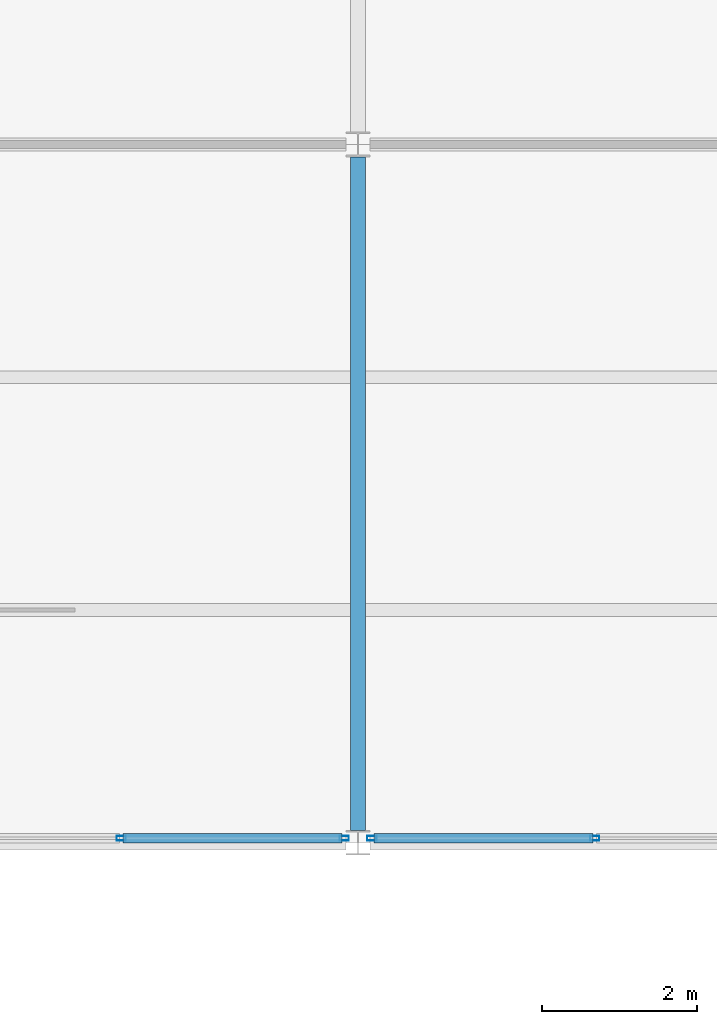
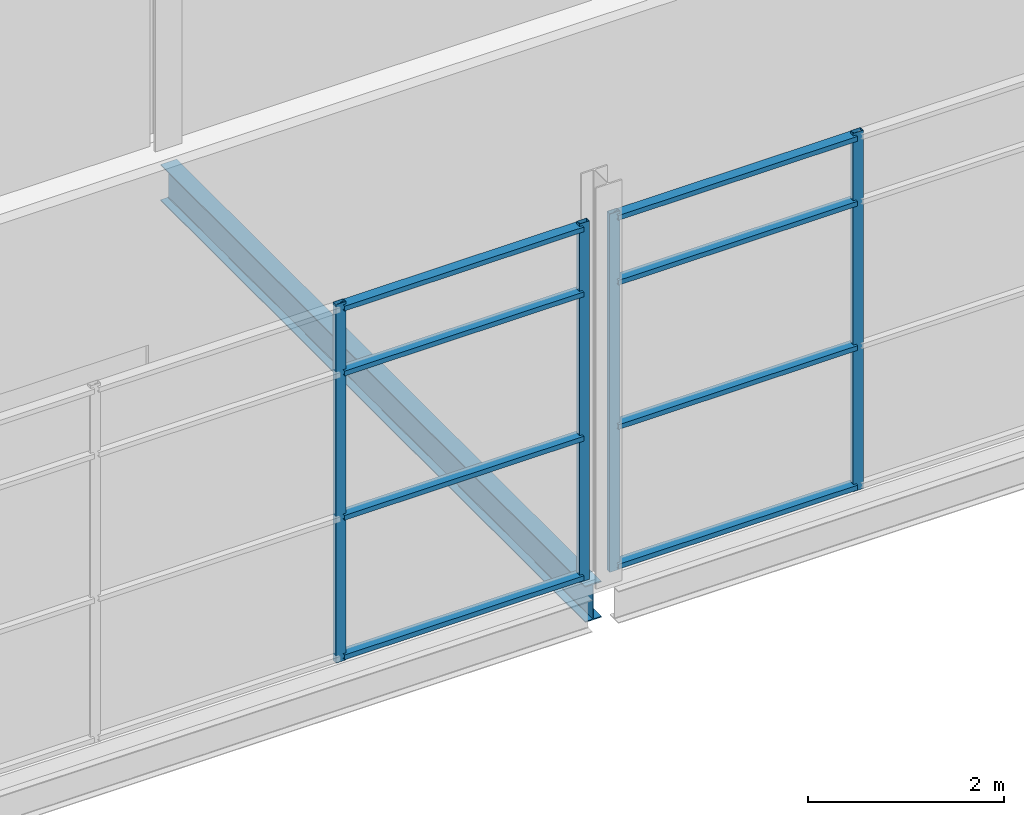
# One storey, part 38 of 61: 12 members, 1 beam, 2 elements without a shape of their own.
"""IFC4 building model written with IfcOpenShell, lengths in metres."""

from ifc_helpers import new_model, si_unit, direction, frame, origin, origin_2d, place, context, subcontext, project, spatial, hollow_rectangle, i_section, extrude, material, layer, layer_set, material_profile, profile_set, type_object, element, aggregate, save


model = new_model("IFC4")

# Units and contexts
model_context = context("Model", 3, precision=1e-05, world=origin(), true_north=direction((0.0, 1.0)))
body_context = subcontext(model_context, "Body", "Model", "MODEL_VIEW")
ifc_project = project(units=[si_unit("LENGTHUNIT", "METRE"), si_unit("AREAUNIT", "SQUARE_METRE"), si_unit("VOLUMEUNIT", "CUBIC_METRE"), si_unit("PLANEANGLEUNIT", "RADIAN"), si_unit("MASSUNIT", "GRAM", prefix="KILO")], contexts=[model_context])

# Site, building, storey
site_placement = place(None, origin())
site = spatial("IfcSite", under=ifc_project, at=site_placement, CompositionType="ELEMENT")
building_placement = place(site_placement, origin())
building = spatial("IfcBuilding", under=site, at=building_placement, Name="Shorebreak Coast Museum", CompositionType="ELEMENT")
storey_placement = place(building_placement, frame((0.0, 0.0, 26.0)))
storey = spatial("IfcBuildingStorey", under=building, at=storey_placement, Name="L04", CompositionType="ELEMENT", Elevation=26.0)

# Beam
ifc_material_1 = material(Name="Steel Grade 300", Category="steel")
ifc_material_profile_1 = material_profile(ifc_material_1, i_section(OverallWidth=0.18994140625, OverallDepth=0.453857421875, WebThickness=0.008544921875, FlangeThickness=0.0126953125, FilletRadius=0.011474609375, at=origin_2d()), Name="460UB67.1")
ifc_profile_set_1 = profile_set([ifc_material_profile_1], Name="Steel Grade 300")
beam_type = type_object("IfcBeamType", Name="Floor girder north-south 460UB67.1", PredefinedType="BEAM", material=ifc_profile_set_1)
beam_placement = place(storey_placement, frame((90.0, 81.160400390625, -0.40185546875), z_axis=(0.0, 1.0, 0.0), x_axis=(-1.0, 0.0, 0.0)))
element("IfcBeam", 1, at=beam_placement, inside=storey, type_object=beam_type, Name="Floor girder north-south L04 11K", PredefinedType="BEAM", context=body_context, shape_type="SweptSolid", body=[
    extrude(i_section(OverallWidth=0.18994140625, OverallDepth=0.453857421875, WebThickness=0.008544921875, FlangeThickness=0.0126953125, FilletRadius=0.011474609375, at=origin_2d()), origin(), (0.0, 0.0, 1.0), 8.676025390625),
])

# Curtain wall, members
ifc_material_2 = material(Name="Aluminium", Category="aluminium")
ifc_layer = layer(ifc_material_2, 0.1201171875)
ifc_layer_set = layer_set([ifc_layer], Name="Aluminium")
curtain_wall_type = type_object("IfcCurtainWallType", Name="Atrium fire screen", PredefinedType="NOTDEFINED", material=ifc_layer_set)
curtain_wall_1_placement = place(storey_placement, origin())
curtain_wall_1 = element("IfcCurtainWall", 2, at=curtain_wall_1_placement, inside=storey, type_object=curtain_wall_type, Name="Atrium screen L04 N 56", PredefinedType="NOTDEFINED")
ifc_material_3 = material(Name="Aluminium", Category="aluminium")
ifc_material_profile_2 = material_profile(ifc_material_3, hollow_rectangle(XDim=0.06005859375, YDim=0.1201171875, WallThickness=0.00341796875, at=origin_2d()), Name="AL 120x60 RHS")
ifc_profile_set_2 = profile_set([ifc_material_profile_2], Name="Aluminium")
member_type_1 = type_object("IfcMemberType", Name="Screen mullion 50 x 120", PredefinedType="MULLION", material=ifc_profile_set_2)
member_1_placement = place(storey_placement, frame((86.94873046875, 81.06005859375, 0.0), z_axis=(0.0, 0.0, 1.0), x_axis=(0.0, 1.0, 0.0)))
member_1 = element("IfcMember", 3, at=member_1_placement, type_object=member_type_1, Name="CW6 mullion 3", PredefinedType="MULLION", context=body_context, shape_type="SweptSolid", body=[
    extrude(hollow_rectangle(XDim=0.06005859375, YDim=0.1201171875, WallThickness=0.00341796875, at=origin_2d()), origin(), (0.0, 0.0, 1.0), 4.469482421875),
])
member_2_placement = place(storey_placement, frame((89.821533203125, 81.06005859375, 0.0), z_axis=(0.0, 0.0, 1.0), x_axis=(0.0, 1.0, 0.0)))
member_2 = element("IfcMember", 4, at=member_2_placement, type_object=member_type_1, Name="CW6 mullion 4", PredefinedType="MULLION", context=body_context, shape_type="SweptSolid", body=[
    extrude(hollow_rectangle(XDim=0.06005859375, YDim=0.1201171875, WallThickness=0.00341796875, at=origin_2d()), origin(), (0.0, 0.0, 1.0), 4.469482421875),
])

curtain_wall_2_placement = place(storey_placement, origin())
curtain_wall_2 = element("IfcCurtainWall", 5, at=curtain_wall_2_placement, inside=storey, type_object=curtain_wall_type, Name="Atrium screen L04 N 57", PredefinedType="NOTDEFINED")
member_3_placement = place(storey_placement, frame((90.178466796875, 81.06005859375, 0.0), z_axis=(0.0, 0.0, 1.0), x_axis=(0.0, 1.0, 0.0)))
member_3 = element("IfcMember", 6, at=member_3_placement, type_object=member_type_1, Name="CW4 mullion 1", PredefinedType="MULLION", context=body_context, shape_type="SweptSolid", body=[
    extrude(hollow_rectangle(XDim=0.06005859375, YDim=0.1201171875, WallThickness=0.00341796875, at=origin_2d()), origin(), (0.0, 0.0, 1.0), 4.469482421875),
])
member_4_placement = place(storey_placement, frame((93.05126953125, 81.06005859375, 0.0), z_axis=(0.0, 0.0, 1.0), x_axis=(0.0, 1.0, 0.0)))
member_4 = element("IfcMember", 7, at=member_4_placement, type_object=member_type_1, Name="CW4 mullion 2", PredefinedType="MULLION", context=body_context, shape_type="SweptSolid", body=[
    extrude(hollow_rectangle(XDim=0.06005859375, YDim=0.1201171875, WallThickness=0.00341796875, at=origin_2d()), origin(), (0.0, 0.0, 1.0), 4.469482421875),
])

# Member
ifc_material_4 = material(Name="Aluminium", Category="aluminium")
ifc_material_profile_3 = material_profile(ifc_material_4, hollow_rectangle(XDim=0.1201171875, YDim=0.06005859375, WallThickness=0.00341796875, at=origin_2d()), Name="AL 60x120 RHS")
ifc_profile_set_3 = profile_set([ifc_material_profile_3], Name="Aluminium")
member_type_2 = type_object("IfcMemberType", Name="Screen transom 120 x 50", PredefinedType="USERDEFINED", material=ifc_profile_set_3)
member_5_placement = place(storey_placement, frame((86.973876953125, 81.06005859375, 0.06005859375), z_axis=(1.0, 0.0, 0.0), x_axis=(0.0, 1.0, 0.0)))
member_5 = element("IfcMember", 8, at=member_5_placement, type_object=member_type_2, Name="CW6 transom 3.1", ObjectType="TRANSOM", PredefinedType="USERDEFINED", context=body_context, shape_type="SweptSolid", body=[
    extrude(hollow_rectangle(XDim=0.1201171875, YDim=0.06005859375, WallThickness=0.00341796875, at=origin_2d()), origin(), (0.0, 0.0, 1.0), 2.822509765625),
])

member_6_placement = place(storey_placement, frame((86.973876953125, 81.06005859375, 1.800048828125), z_axis=(1.0, 0.0, 0.0), x_axis=(0.0, 1.0, 0.0)))
member_6 = element("IfcMember", 9, at=member_6_placement, type_object=member_type_2, Name="CW6 transom 3.2", ObjectType="TRANSOM", PredefinedType="USERDEFINED", context=body_context, shape_type="SweptSolid", body=[
    extrude(hollow_rectangle(XDim=0.1201171875, YDim=0.06005859375, WallThickness=0.00341796875, at=origin_2d()), origin(), (0.0, 0.0, 1.0), 2.822509765625),
])

member_7_placement = place(storey_placement, frame((86.973876953125, 81.06005859375, 3.60009765625), z_axis=(1.0, 0.0, 0.0), x_axis=(0.0, 1.0, 0.0)))
member_7 = element("IfcMember", 10, at=member_7_placement, type_object=member_type_2, Name="CW6 transom 3.3", ObjectType="TRANSOM", PredefinedType="USERDEFINED", context=body_context, shape_type="SweptSolid", body=[
    extrude(hollow_rectangle(XDim=0.1201171875, YDim=0.06005859375, WallThickness=0.00341796875, at=origin_2d()), origin(), (0.0, 0.0, 1.0), 2.822509765625),
])

member_8_placement = place(storey_placement, frame((86.973876953125, 81.06005859375, 4.409423828125), z_axis=(1.0, 0.0, 0.0), x_axis=(0.0, 1.0, 0.0)))
member_8 = element("IfcMember", 11, at=member_8_placement, type_object=member_type_2, Name="CW6 transom 3.4", ObjectType="TRANSOM", PredefinedType="USERDEFINED", context=body_context, shape_type="SweptSolid", body=[
    extrude(hollow_rectangle(XDim=0.1201171875, YDim=0.06005859375, WallThickness=0.00341796875, at=origin_2d()), origin(), (0.0, 0.0, 1.0), 2.822509765625),
])

aggregate(curtain_wall_1, [member_1, member_2, member_5, member_6, member_7, member_8])

member_9_placement = place(storey_placement, frame((90.20361328125, 81.06005859375, 0.06005859375), z_axis=(1.0, 0.0, 0.0), x_axis=(0.0, 1.0, 0.0)))
member_9 = element("IfcMember", 12, at=member_9_placement, type_object=member_type_2, Name="CW4 transom 1.1", ObjectType="TRANSOM", PredefinedType="USERDEFINED", context=body_context, shape_type="SweptSolid", body=[
    extrude(hollow_rectangle(XDim=0.1201171875, YDim=0.06005859375, WallThickness=0.00341796875, at=origin_2d()), origin(), (0.0, 0.0, 1.0), 2.822509765625),
])

member_10_placement = place(storey_placement, frame((90.20361328125, 81.06005859375, 1.800048828125), z_axis=(1.0, 0.0, 0.0), x_axis=(0.0, 1.0, 0.0)))
member_10 = element("IfcMember", 13, at=member_10_placement, type_object=member_type_2, Name="CW4 transom 1.2", ObjectType="TRANSOM", PredefinedType="USERDEFINED", context=body_context, shape_type="SweptSolid", body=[
    extrude(hollow_rectangle(XDim=0.1201171875, YDim=0.06005859375, WallThickness=0.00341796875, at=origin_2d()), origin(), (0.0, 0.0, 1.0), 2.822509765625),
])

member_11_placement = place(storey_placement, frame((90.20361328125, 81.06005859375, 3.60009765625), z_axis=(1.0, 0.0, 0.0), x_axis=(0.0, 1.0, 0.0)))
member_11 = element("IfcMember", 14, at=member_11_placement, type_object=member_type_2, Name="CW4 transom 1.3", ObjectType="TRANSOM", PredefinedType="USERDEFINED", context=body_context, shape_type="SweptSolid", body=[
    extrude(hollow_rectangle(XDim=0.1201171875, YDim=0.06005859375, WallThickness=0.00341796875, at=origin_2d()), origin(), (0.0, 0.0, 1.0), 2.822509765625),
])

member_12_placement = place(storey_placement, frame((90.20361328125, 81.06005859375, 4.409423828125), z_axis=(1.0, 0.0, 0.0), x_axis=(0.0, 1.0, 0.0)))
member_12 = element("IfcMember", 15, at=member_12_placement, type_object=member_type_2, Name="CW4 transom 1.4", ObjectType="TRANSOM", PredefinedType="USERDEFINED", context=body_context, shape_type="SweptSolid", body=[
    extrude(hollow_rectangle(XDim=0.1201171875, YDim=0.06005859375, WallThickness=0.00341796875, at=origin_2d()), origin(), (0.0, 0.0, 1.0), 2.822509765625),
])

aggregate(curtain_wall_2, [member_3, member_4, member_9, member_10, member_11, member_12])

save(model, "model.ifc")
